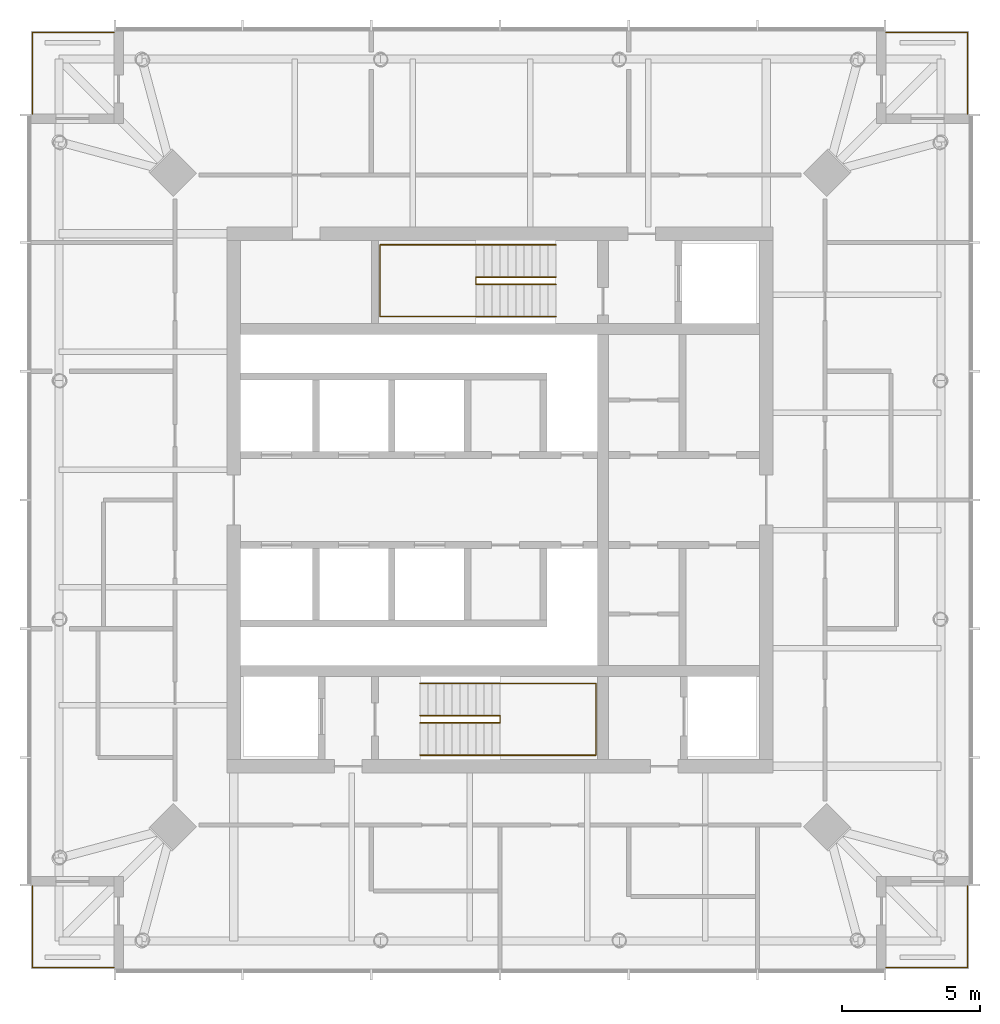
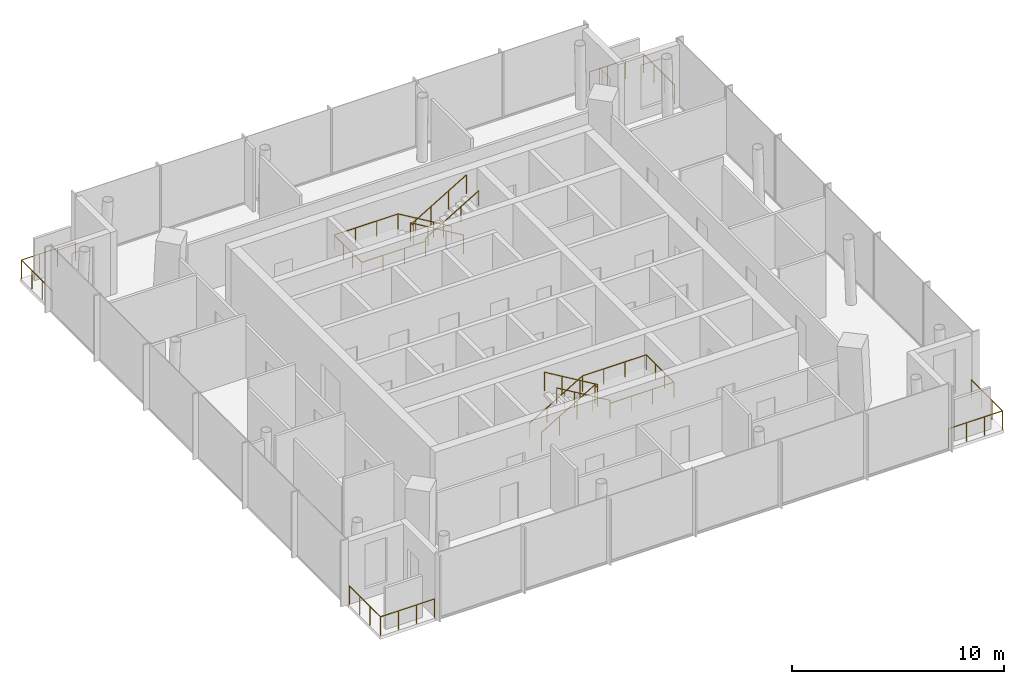
# One storey, part 7 of 7: 8 railings.
"""IFC4 building model written with IfcOpenShell, lengths in metres."""

from ifc_helpers import new_model, si_unit, direction, frame, origin, origin_2d, place, context, subcontext, project, spatial, circle, extrude, material, type_object, element, save


model = new_model("IFC4")

# Units and contexts
model_context = context("Model", 3, precision=1e-05, world=origin(), true_north=direction((0.0, 1.0)))
body_context = subcontext(model_context, "Body", "Model", "MODEL_VIEW")
ifc_project = project(units=[si_unit("LENGTHUNIT", "METRE"), si_unit("AREAUNIT", "SQUARE_METRE"), si_unit("VOLUMEUNIT", "CUBIC_METRE"), si_unit("PLANEANGLEUNIT", "RADIAN"), si_unit("MASSUNIT", "GRAM", prefix="KILO")], contexts=[model_context])

# Site, building, storey
site_placement = place(None, origin())
site = spatial("IfcSite", under=ifc_project, at=site_placement, CompositionType="ELEMENT")
building_placement = place(site_placement, origin())
building = spatial("IfcBuilding", under=site, at=building_placement, Name="Ostroluk Exchange", CompositionType="ELEMENT")
storey_placement = place(building_placement, frame((0.0, 0.0, 271.800048828125)))
storey = spatial("IfcBuildingStorey", under=building, at=storey_placement, Name="L70", CompositionType="ELEMENT", Elevation=271.800048828125)

# Railings
ifc_material_1 = material(Name="Stainless steel", Category="steel")
railing_type_1 = type_object("IfcRailingType", Name="Guard 1100 stainless steel", PredefinedType="GUARDRAIL", material=ifc_material_1)
railing_1_placement = place(storey_placement, frame((59.0, 29.050048828125, 0.0)))
element("IfcRailing", 1, at=railing_1_placement, inside=storey, type_object=railing_type_1, Name="Office tower SE balcony guard L70", PredefinedType="GUARDRAIL", context=body_context, shape_type="SweptSolid", body=[
    extrude(circle(Radius=0.02392578125, at=origin_2d()), frame((0.0, 0.0, 1.076171875), z_axis=(1.0, 0.0, 0.0), x_axis=(0.0, 1.0, 0.0)), (0.0, 0.0, 1.0), 2.949951171875),
    extrude(circle(Radius=0.02392578125, at=origin_2d()), frame((2.949951171875, 0.0, 1.076171875), z_axis=(0.0, 1.0, 0.0), x_axis=(-1.0, 0.0, 0.0)), (0.0, 0.0, 1.0), 2.949951171875),
    extrude(circle(Radius=0.02099609375, at=origin_2d()), origin(), (0.0, 0.0, 1.0), 1.052001953125),
    extrude(circle(Radius=0.02099609375, at=origin_2d()), frame((0.9833984375, 0.0, 0.0)), (0.0, 0.0, 1.0), 1.052001953125),
    extrude(circle(Radius=0.02099609375, at=origin_2d()), frame((1.966552734375, 0.0, 0.0)), (0.0, 0.0, 1.0), 1.052001953125),
    extrude(circle(Radius=0.02099609375, at=origin_2d()), frame((2.949951171875, 0.0, 0.0)), (0.0, 0.0, 1.0), 1.052001953125),
    extrude(circle(Radius=0.02099609375, at=origin_2d()), frame((2.949951171875, 0.9833984375, 0.0)), (0.0, 0.0, 1.0), 1.052001953125),
    extrude(circle(Radius=0.02099609375, at=origin_2d()), frame((2.949951171875, 1.966552734375, 0.0)), (0.0, 0.0, 1.0), 1.052001953125),
    extrude(circle(Radius=0.02099609375, at=origin_2d()), frame((2.949951171875, 2.949951171875, 0.0)), (0.0, 0.0, 1.0), 1.052001953125),
])
railing_2_placement = place(storey_placement, frame((59.0, 62.949951171875, 0.0)))
element("IfcRailing", 2, at=railing_2_placement, inside=storey, type_object=railing_type_1, Name="Office tower NE balcony guard L70", PredefinedType="GUARDRAIL", context=body_context, shape_type="SweptSolid", body=[
    extrude(circle(Radius=0.02392578125, at=origin_2d()), frame((0.0, 0.0, 1.076171875), z_axis=(1.0, 0.0, 0.0), x_axis=(0.0, 1.0, 0.0)), (0.0, 0.0, 1.0), 2.949951171875),
    extrude(circle(Radius=0.02392578125, at=origin_2d()), frame((2.949951171875, 0.0, 1.076171875), z_axis=(0.0, -1.0, 0.0), x_axis=(1.0, 0.0, 0.0)), (0.0, 0.0, 1.0), 2.949951171875),
    extrude(circle(Radius=0.02099609375, at=origin_2d()), origin(), (0.0, 0.0, 1.0), 1.052001953125),
    extrude(circle(Radius=0.02099609375, at=origin_2d()), frame((0.9833984375, 0.0, 0.0)), (0.0, 0.0, 1.0), 1.052001953125),
    extrude(circle(Radius=0.02099609375, at=origin_2d()), frame((1.966552734375, 0.0, 0.0)), (0.0, 0.0, 1.0), 1.052001953125),
    extrude(circle(Radius=0.02099609375, at=origin_2d()), frame((2.949951171875, 0.0, 0.0)), (0.0, 0.0, 1.0), 1.052001953125),
    extrude(circle(Radius=0.02099609375, at=origin_2d()), frame((2.949951171875, -0.9833984375, 0.0)), (0.0, 0.0, 1.0), 1.052001953125),
    extrude(circle(Radius=0.02099609375, at=origin_2d()), frame((2.949951171875, -1.966552734375, 0.0)), (0.0, 0.0, 1.0), 1.052001953125),
    extrude(circle(Radius=0.02099609375, at=origin_2d()), frame((2.949951171875, -2.949951171875, 0.0)), (0.0, 0.0, 1.0), 1.052001953125),
])
railing_3_placement = place(storey_placement, frame((31.0, 62.949951171875, 0.0)))
element("IfcRailing", 3, at=railing_3_placement, inside=storey, type_object=railing_type_1, Name="Office tower NW balcony guard L70", PredefinedType="GUARDRAIL", context=body_context, shape_type="SweptSolid", body=[
    extrude(circle(Radius=0.02392578125, at=origin_2d()), frame((0.0, 0.0, 1.076171875), z_axis=(-1.0, 0.0, 0.0), x_axis=(0.0, -1.0, 0.0)), (0.0, 0.0, 1.0), 2.949951171875),
    extrude(circle(Radius=0.02392578125, at=origin_2d()), frame((-2.949951171875, 0.0, 1.076171875), z_axis=(0.0, -1.0, 0.0), x_axis=(1.0, 0.0, 0.0)), (0.0, 0.0, 1.0), 2.949951171875),
    extrude(circle(Radius=0.02099609375, at=origin_2d()), origin(), (0.0, 0.0, 1.0), 1.052001953125),
    extrude(circle(Radius=0.02099609375, at=origin_2d()), frame((-0.9833984375, 0.0, 0.0)), (0.0, 0.0, 1.0), 1.052001953125),
    extrude(circle(Radius=0.02099609375, at=origin_2d()), frame((-1.966552734375, 0.0, 0.0)), (0.0, 0.0, 1.0), 1.052001953125),
    extrude(circle(Radius=0.02099609375, at=origin_2d()), frame((-2.949951171875, 0.0, 0.0)), (0.0, 0.0, 1.0), 1.052001953125),
    extrude(circle(Radius=0.02099609375, at=origin_2d()), frame((-2.949951171875, -0.9833984375, 0.0)), (0.0, 0.0, 1.0), 1.052001953125),
    extrude(circle(Radius=0.02099609375, at=origin_2d()), frame((-2.949951171875, -1.966552734375, 0.0)), (0.0, 0.0, 1.0), 1.052001953125),
    extrude(circle(Radius=0.02099609375, at=origin_2d()), frame((-2.949951171875, -2.949951171875, 0.0)), (0.0, 0.0, 1.0), 1.052001953125),
])
railing_4_placement = place(storey_placement, frame((31.0, 29.050048828125, 0.0)))
element("IfcRailing", 4, at=railing_4_placement, inside=storey, type_object=railing_type_1, Name="Office tower SW balcony guard L70", PredefinedType="GUARDRAIL", context=body_context, shape_type="SweptSolid", body=[
    extrude(circle(Radius=0.02392578125, at=origin_2d()), frame((0.0, 0.0, 1.076171875), z_axis=(-1.0, 0.0, 0.0), x_axis=(0.0, -1.0, 0.0)), (0.0, 0.0, 1.0), 2.949951171875),
    extrude(circle(Radius=0.02392578125, at=origin_2d()), frame((-2.949951171875, 0.0, 1.076171875), z_axis=(0.0, 1.0, 0.0), x_axis=(-1.0, 0.0, 0.0)), (0.0, 0.0, 1.0), 2.949951171875),
    extrude(circle(Radius=0.02099609375, at=origin_2d()), origin(), (0.0, 0.0, 1.0), 1.052001953125),
    extrude(circle(Radius=0.02099609375, at=origin_2d()), frame((-0.9833984375, 0.0, 0.0)), (0.0, 0.0, 1.0), 1.052001953125),
    extrude(circle(Radius=0.02099609375, at=origin_2d()), frame((-1.966552734375, 0.0, 0.0)), (0.0, 0.0, 1.0), 1.052001953125),
    extrude(circle(Radius=0.02099609375, at=origin_2d()), frame((-2.949951171875, 0.0, 0.0)), (0.0, 0.0, 1.0), 1.052001953125),
    extrude(circle(Radius=0.02099609375, at=origin_2d()), frame((-2.949951171875, 0.9833984375, 0.0)), (0.0, 0.0, 1.0), 1.052001953125),
    extrude(circle(Radius=0.02099609375, at=origin_2d()), frame((-2.949951171875, 1.966552734375, 0.0)), (0.0, 0.0, 1.0), 1.052001953125),
    extrude(circle(Radius=0.02099609375, at=origin_2d()), frame((-2.949951171875, 2.949951171875, 0.0)), (0.0, 0.0, 1.0), 1.052001953125),
])
ifc_material_2 = material(Name="Steel S355", Category="steel")
railing_type_2 = type_object("IfcRailingType", Name="Stair guard 1100", PredefinedType="GUARDRAIL", material=ifc_material_2)
railing_5_placement = place(storey_placement, frame((42.10009765625, 38.179931640625, 0.172607421875)))
element("IfcRailing", 5, at=railing_5_placement, inside=storey, type_object=railing_type_2, Name="Stair T1-S1 guard L70", PredefinedType="GUARDRAIL", context=body_context, shape_type="SweptSolid", body=[
    extrude(circle(Radius=0.02392578125, at=origin_2d()), frame((0.0, 0.0, 1.076171875), z_axis=(0.859141464434, 0.0, 0.511738159696), x_axis=(0.0, 1.0, 0.0)), (0.0, 0.0, 1.0), 3.375244140625),
    extrude(circle(Radius=0.02392578125, at=origin_2d()), frame((2.89990234375, 0.0, 2.80322265625), z_axis=(0.0, -1.0, 0.0), x_axis=(1.0, 0.0, 0.0)), (0.0, 0.0, 1.0), 0.260009765625),
    extrude(circle(Radius=0.02392578125, at=origin_2d()), frame((2.89990234375, -0.260009765625, 2.80322265625), z_axis=(0.0, 0.0, 1.0), x_axis=(1.0, 0.0, 0.0)), (0.0, 0.0, 1.0), 0.1728515625),
    extrude(circle(Radius=0.02392578125, at=origin_2d()), frame((2.89990234375, -0.260009765625, 2.97607421875), z_axis=(-0.859141464434, 0.0, 0.511738159696), x_axis=(0.0, -1.0, 0.0)), (0.0, 0.0, 1.0), 3.375244140625),
    extrude(circle(Radius=0.02099609375, at=origin_2d()), origin(), (0.0, 0.0, 1.0), 1.052001953125),
    extrude(circle(Radius=0.02099609375, at=origin_2d()), frame((0.966552734375, 0.0, 0.57568359375)), (0.0, 0.0, 1.0), 1.052001953125),
    extrude(circle(Radius=0.02099609375, at=origin_2d()), frame((1.933349609375, 0.0, 1.151611328125)), (0.0, 0.0, 1.0), 1.052001953125),
    extrude(circle(Radius=0.02099609375, at=origin_2d()), frame((2.89990234375, 0.0, 1.727294921875)), (0.0, 0.0, 1.0), 1.052001953125),
    extrude(circle(Radius=0.02099609375, at=origin_2d()), frame((2.89990234375, -0.260009765625, 1.727294921875)), (0.0, 0.0, 1.0), 1.052001953125),
    extrude(circle(Radius=0.02099609375, at=origin_2d()), frame((2.89990234375, -0.260009765625, 1.900146484375)), (0.0, 0.0, 1.0), 1.052001953125),
    extrude(circle(Radius=0.02099609375, at=origin_2d()), frame((1.933349609375, -0.260009765625, 2.475830078125)), (0.0, 0.0, 1.0), 1.052001953125),
    extrude(circle(Radius=0.02099609375, at=origin_2d()), frame((0.966552734375, -0.260009765625, 3.0517578125)), (0.0, 0.0, 1.0), 1.052001953125),
    extrude(circle(Radius=0.02099609375, at=origin_2d()), frame((0.0, -0.260009765625, 3.62744140625)), (0.0, 0.0, 1.0), 1.052001953125),
])
railing_6_placement = place(storey_placement, frame((47.030029296875, 54.080078125, 0.172607421875)))
element("IfcRailing", 6, at=railing_6_placement, inside=storey, type_object=railing_type_2, Name="Stair T1-S2 guard L70", PredefinedType="GUARDRAIL", context=body_context, shape_type="SweptSolid", body=[
    extrude(circle(Radius=0.02392578125, at=origin_2d()), frame((0.0, 0.0, 1.076171875), z_axis=(-0.859160404282, 0.0, 0.51170636083), x_axis=(0.0, -1.0, 0.0)), (0.0, 0.0, 1.0), 3.37548828125),
    extrude(circle(Radius=0.02392578125, at=origin_2d()), frame((-2.900146484375, 0.0, 2.80322265625), z_axis=(0.0, -1.0, 0.0), x_axis=(1.0, 0.0, 0.0)), (0.0, 0.0, 1.0), 0.260009765625),
    extrude(circle(Radius=0.02392578125, at=origin_2d()), frame((-2.900146484375, -0.260009765625, 2.80322265625), z_axis=(0.0, 0.0, 1.0), x_axis=(1.0, 0.0, 0.0)), (0.0, 0.0, 1.0), 0.1728515625),
    extrude(circle(Radius=0.02392578125, at=origin_2d()), frame((-2.900146484375, -0.260009765625, 2.97607421875), z_axis=(0.859160404282, 0.0, 0.51170636083), x_axis=(0.0, 1.0, 0.0)), (0.0, 0.0, 1.0), 3.37548828125),
    extrude(circle(Radius=0.02099609375, at=origin_2d()), origin(), (0.0, 0.0, 1.0), 1.052001953125),
    extrude(circle(Radius=0.02099609375, at=origin_2d()), frame((-0.966796875, 0.0, 0.57568359375)), (0.0, 0.0, 1.0), 1.052001953125),
    extrude(circle(Radius=0.02099609375, at=origin_2d()), frame((-1.933349609375, 0.0, 1.151611328125)), (0.0, 0.0, 1.0), 1.052001953125),
    extrude(circle(Radius=0.02099609375, at=origin_2d()), frame((-2.900146484375, 0.0, 1.727294921875)), (0.0, 0.0, 1.0), 1.052001953125),
    extrude(circle(Radius=0.02099609375, at=origin_2d()), frame((-2.900146484375, -0.260009765625, 1.727294921875)), (0.0, 0.0, 1.0), 1.052001953125),
    extrude(circle(Radius=0.02099609375, at=origin_2d()), frame((-2.900146484375, -0.260009765625, 1.900146484375)), (0.0, 0.0, 1.0), 1.052001953125),
    extrude(circle(Radius=0.02099609375, at=origin_2d()), frame((-1.933349609375, -0.260009765625, 2.475830078125)), (0.0, 0.0, 1.0), 1.052001953125),
    extrude(circle(Radius=0.02099609375, at=origin_2d()), frame((-0.966796875, -0.260009765625, 3.0517578125)), (0.0, 0.0, 1.0), 1.052001953125),
    extrude(circle(Radius=0.02099609375, at=origin_2d()), frame((0.0, -0.260009765625, 3.62744140625)), (0.0, 0.0, 1.0), 1.052001953125),
])
ifc_material_3 = material(Name="Stainless steel", Category="steel")
railing_type_3 = type_object("IfcRailingType", Name="Stair handrail 900", PredefinedType="HANDRAIL", material=ifc_material_3)
railing_7_placement = place(storey_placement, frame((42.10009765625, 39.35009765625, 0.172607421875)))
element("IfcRailing", 7, at=railing_7_placement, inside=storey, type_object=railing_type_3, Name="Stair T1-S1 handrail L70", PredefinedType="HANDRAIL", context=body_context, shape_type="SweptSolid", body=[
    extrude(circle(Radius=0.02392578125, at=origin_2d()), frame((0.0, 0.0, 0.8759765625), z_axis=(0.859141464434, 0.0, 0.511738159696), x_axis=(0.0, 1.0, 0.0)), (0.0, 0.0, 1.0), 3.375244140625),
    extrude(circle(Radius=0.02392578125, at=origin_2d()), frame((2.89990234375, 0.0, 2.60302734375), z_axis=(1.0, 0.0, 0.0), x_axis=(0.0, 1.0, 0.0)), (0.0, 0.0, 1.0), 3.47998046875),
    extrude(circle(Radius=0.02392578125, at=origin_2d()), frame((6.3798828125, 0.0, 2.60302734375), z_axis=(0.0, -1.0, 0.0), x_axis=(1.0, 0.0, 0.0)), (0.0, 0.0, 1.0), 2.60009765625),
    extrude(circle(Radius=0.02392578125, at=origin_2d()), frame((6.3798828125, -2.60009765625, 2.60302734375), z_axis=(-1.0, 0.0, 0.0), x_axis=(0.0, -1.0, 0.0)), (0.0, 0.0, 1.0), 3.47998046875),
    extrude(circle(Radius=0.02392578125, at=origin_2d()), frame((2.89990234375, -2.60009765625, 2.60302734375), z_axis=(0.0, 0.0, 1.0), x_axis=(1.0, 0.0, 0.0)), (0.0, 0.0, 1.0), 0.1728515625),
    extrude(circle(Radius=0.02392578125, at=origin_2d()), frame((2.89990234375, -2.60009765625, 2.77587890625), z_axis=(-0.859141464434, 0.0, 0.511738159696), x_axis=(0.0, -1.0, 0.0)), (0.0, 0.0, 1.0), 3.375244140625),
    extrude(circle(Radius=0.02099609375, at=origin_2d()), origin(), (0.0, 0.0, 1.0), 0.851806640625),
    extrude(circle(Radius=0.02099609375, at=origin_2d()), frame((0.966552734375, 0.0, 0.57568359375)), (0.0, 0.0, 1.0), 0.851806640625),
    extrude(circle(Radius=0.02099609375, at=origin_2d()), frame((1.933349609375, 0.0, 1.151611328125)), (0.0, 0.0, 1.0), 0.851806640625),
    extrude(circle(Radius=0.02099609375, at=origin_2d()), frame((2.89990234375, 0.0, 1.727294921875)), (0.0, 0.0, 1.0), 0.851806640625),
    extrude(circle(Radius=0.02099609375, at=origin_2d()), frame((4.059814453125, 0.0, 1.727294921875)), (0.0, 0.0, 1.0), 0.851806640625),
    extrude(circle(Radius=0.02099609375, at=origin_2d()), frame((5.219970703125, 0.0, 1.727294921875)), (0.0, 0.0, 1.0), 0.851806640625),
    extrude(circle(Radius=0.02099609375, at=origin_2d()), frame((6.3798828125, 0.0, 1.727294921875)), (0.0, 0.0, 1.0), 0.851806640625),
    extrude(circle(Radius=0.02099609375, at=origin_2d()), frame((6.3798828125, -0.86669921875, 1.727294921875)), (0.0, 0.0, 1.0), 0.851806640625),
    extrude(circle(Radius=0.02099609375, at=origin_2d()), frame((6.3798828125, -1.7333984375, 1.727294921875)), (0.0, 0.0, 1.0), 0.851806640625),
    extrude(circle(Radius=0.02099609375, at=origin_2d()), frame((6.3798828125, -2.60009765625, 1.727294921875)), (0.0, 0.0, 1.0), 0.851806640625),
    extrude(circle(Radius=0.02099609375, at=origin_2d()), frame((5.219970703125, -2.60009765625, 1.727294921875)), (0.0, 0.0, 1.0), 0.851806640625),
    extrude(circle(Radius=0.02099609375, at=origin_2d()), frame((4.059814453125, -2.60009765625, 1.727294921875)), (0.0, 0.0, 1.0), 0.851806640625),
    extrude(circle(Radius=0.02099609375, at=origin_2d()), frame((2.89990234375, -2.60009765625, 1.727294921875)), (0.0, 0.0, 1.0), 0.851806640625),
    extrude(circle(Radius=0.02099609375, at=origin_2d()), frame((2.89990234375, -2.60009765625, 1.900146484375)), (0.0, 0.0, 1.0), 0.851806640625),
    extrude(circle(Radius=0.02099609375, at=origin_2d()), frame((1.933349609375, -2.60009765625, 2.475830078125)), (0.0, 0.0, 1.0), 0.851806640625),
    extrude(circle(Radius=0.02099609375, at=origin_2d()), frame((0.966552734375, -2.60009765625, 3.0517578125)), (0.0, 0.0, 1.0), 0.851806640625),
    extrude(circle(Radius=0.02099609375, at=origin_2d()), frame((0.0, -2.60009765625, 3.62744140625)), (0.0, 0.0, 1.0), 0.851806640625),
])
railing_8_placement = place(storey_placement, frame((47.030029296875, 55.25, 0.172607421875)))
element("IfcRailing", 8, at=railing_8_placement, inside=storey, type_object=railing_type_3, Name="Stair T1-S2 handrail L70", PredefinedType="HANDRAIL", context=body_context, shape_type="SweptSolid", body=[
    extrude(circle(Radius=0.02392578125, at=origin_2d()), frame((0.0, 0.0, 0.8759765625), z_axis=(-0.859160404282, 0.0, 0.51170636083), x_axis=(0.0, -1.0, 0.0)), (0.0, 0.0, 1.0), 3.37548828125),
    extrude(circle(Radius=0.02392578125, at=origin_2d()), frame((-2.900146484375, 0.0, 2.60302734375), z_axis=(-1.0, 0.0, 0.0), x_axis=(0.0, -1.0, 0.0)), (0.0, 0.0, 1.0), 3.47998046875),
    extrude(circle(Radius=0.02392578125, at=origin_2d()), frame((-6.380126953125, 0.0, 2.60302734375), z_axis=(0.0, -1.0, 0.0), x_axis=(1.0, 0.0, 0.0)), (0.0, 0.0, 1.0), 2.60009765625),
    extrude(circle(Radius=0.02392578125, at=origin_2d()), frame((-6.380126953125, -2.60009765625, 2.60302734375), z_axis=(1.0, 0.0, 0.0), x_axis=(0.0, 1.0, 0.0)), (0.0, 0.0, 1.0), 3.47998046875),
    extrude(circle(Radius=0.02392578125, at=origin_2d()), frame((-2.900146484375, -2.60009765625, 2.60302734375), z_axis=(0.0, 0.0, 1.0), x_axis=(1.0, 0.0, 0.0)), (0.0, 0.0, 1.0), 0.1728515625),
    extrude(circle(Radius=0.02392578125, at=origin_2d()), frame((-2.900146484375, -2.60009765625, 2.77587890625), z_axis=(0.859160404282, 0.0, 0.51170636083), x_axis=(0.0, 1.0, 0.0)), (0.0, 0.0, 1.0), 3.37548828125),
    extrude(circle(Radius=0.02099609375, at=origin_2d()), origin(), (0.0, 0.0, 1.0), 0.851806640625),
    extrude(circle(Radius=0.02099609375, at=origin_2d()), frame((-0.966796875, 0.0, 0.57568359375)), (0.0, 0.0, 1.0), 0.851806640625),
    extrude(circle(Radius=0.02099609375, at=origin_2d()), frame((-1.933349609375, 0.0, 1.151611328125)), (0.0, 0.0, 1.0), 0.851806640625),
    extrude(circle(Radius=0.02099609375, at=origin_2d()), frame((-2.900146484375, 0.0, 1.727294921875)), (0.0, 0.0, 1.0), 0.851806640625),
    extrude(circle(Radius=0.02099609375, at=origin_2d()), frame((-4.06005859375, 0.0, 1.727294921875)), (0.0, 0.0, 1.0), 0.851806640625),
    extrude(circle(Radius=0.02099609375, at=origin_2d()), frame((-5.22021484375, 0.0, 1.727294921875)), (0.0, 0.0, 1.0), 0.851806640625),
    extrude(circle(Radius=0.02099609375, at=origin_2d()), frame((-6.380126953125, 0.0, 1.727294921875)), (0.0, 0.0, 1.0), 0.851806640625),
    extrude(circle(Radius=0.02099609375, at=origin_2d()), frame((-6.380126953125, -0.86669921875, 1.727294921875)), (0.0, 0.0, 1.0), 0.851806640625),
    extrude(circle(Radius=0.02099609375, at=origin_2d()), frame((-6.380126953125, -1.7333984375, 1.727294921875)), (0.0, 0.0, 1.0), 0.851806640625),
    extrude(circle(Radius=0.02099609375, at=origin_2d()), frame((-6.380126953125, -2.60009765625, 1.727294921875)), (0.0, 0.0, 1.0), 0.851806640625),
    extrude(circle(Radius=0.02099609375, at=origin_2d()), frame((-5.22021484375, -2.60009765625, 1.727294921875)), (0.0, 0.0, 1.0), 0.851806640625),
    extrude(circle(Radius=0.02099609375, at=origin_2d()), frame((-4.06005859375, -2.60009765625, 1.727294921875)), (0.0, 0.0, 1.0), 0.851806640625),
    extrude(circle(Radius=0.02099609375, at=origin_2d()), frame((-2.900146484375, -2.60009765625, 1.727294921875)), (0.0, 0.0, 1.0), 0.851806640625),
    extrude(circle(Radius=0.02099609375, at=origin_2d()), frame((-2.900146484375, -2.60009765625, 1.900146484375)), (0.0, 0.0, 1.0), 0.851806640625),
    extrude(circle(Radius=0.02099609375, at=origin_2d()), frame((-1.933349609375, -2.60009765625, 2.475830078125)), (0.0, 0.0, 1.0), 0.851806640625),
    extrude(circle(Radius=0.02099609375, at=origin_2d()), frame((-0.966796875, -2.60009765625, 3.0517578125)), (0.0, 0.0, 1.0), 0.851806640625),
    extrude(circle(Radius=0.02099609375, at=origin_2d()), frame((0.0, -2.60009765625, 3.62744140625)), (0.0, 0.0, 1.0), 0.851806640625),
])

save(model, "model.ifc")
